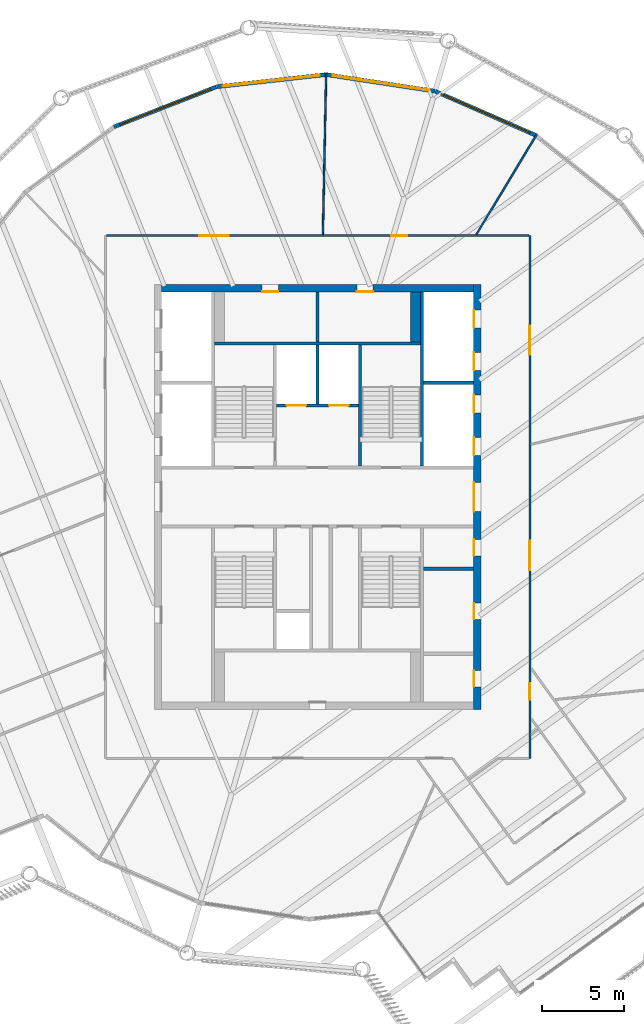
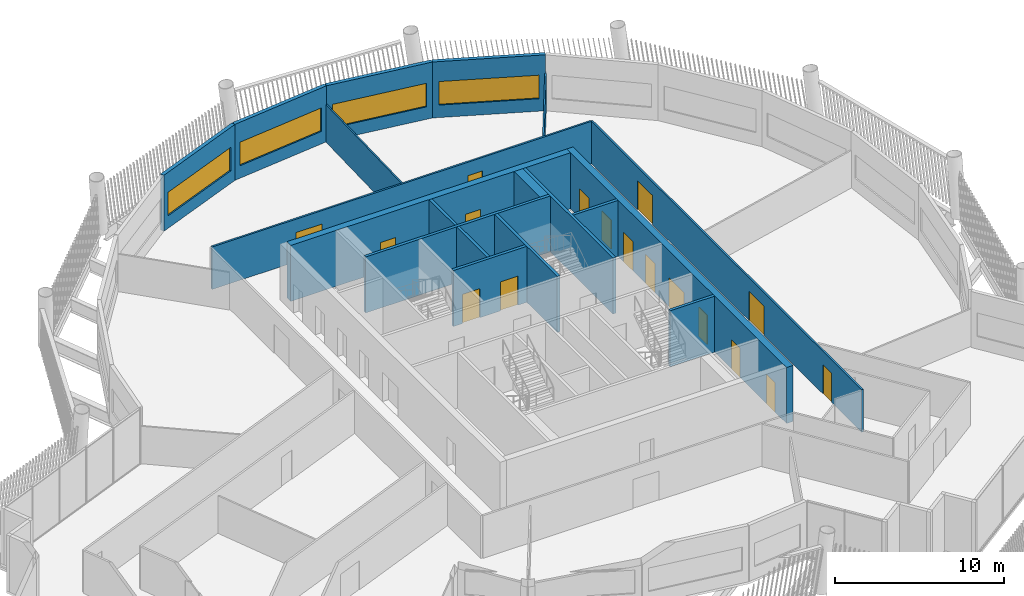
# One storey, part 18 of 27: 19 walls, 17 doors, 4 windows, 21 openings.
"""IFC4 building model written with IfcOpenShell, lengths in metres."""

from ifc_helpers import new_model, si_unit, direction, frame, frame_2d, origin, place, context, subcontext, project, spatial, rectangle, extrude, material, layer, layer_set, type_object, element, fill, save


model = new_model("IFC4")

# Units and contexts
model_context = context("Model", 3, precision=1e-05, world=origin(), true_north=direction((0.0, 1.0)))
body_context = subcontext(model_context, "Body", "Model", "MODEL_VIEW")
ifc_project = project(units=[si_unit("LENGTHUNIT", "METRE"), si_unit("AREAUNIT", "SQUARE_METRE"), si_unit("VOLUMEUNIT", "CUBIC_METRE"), si_unit("PLANEANGLEUNIT", "RADIAN"), si_unit("MASSUNIT", "GRAM", prefix="KILO")], contexts=[model_context])

# Site, building, storey
site_placement = place(None, origin())
site = spatial("IfcSite", under=ifc_project, at=site_placement, CompositionType="ELEMENT")
building_placement = place(site_placement, origin())
building = spatial("IfcBuilding", under=site, at=building_placement, Name="Tarsis Ring Headquarters", CompositionType="ELEMENT")
storey_placement = place(building_placement, frame((0.0, 0.0, 373.39990234375)))
storey = spatial("IfcBuildingStorey", under=building, at=storey_placement, Name="L88", CompositionType="ELEMENT", Elevation=373.39990234375)

# Walls
ifc_material_1 = material(Name="Blockwork", Category="masonry")
ifc_layer_1 = layer(ifc_material_1, 0.199951171875)
ifc_layer_set_1 = layer_set([ifc_layer_1], Name="Core blockwork wall 200")
wall_type_1 = type_object("IfcWallType", Name="Core blockwork wall 200", PredefinedType="PARTITIONING", material=ifc_layer_set_1)
for number, where, z_axis, x_axis, name in (
    (1, (6.5, -4.39990234375, 0.0), (0.0, 0.0, 1.0), (1.0, 0.0, 0.0), "Core partition ED3"),
    (2, (0.0, 9.5, 0.0), (0.0, 0.0, 1.0), (0.0, 1.0, 0.0), "Core partition ND2"),
):
    element("IfcWall", number, at=place(storey_placement, frame(where, z_axis=z_axis, x_axis=x_axis)), inside=storey, type_object=wall_type_1, Name=name, PredefinedType="PARTITIONING", context=body_context, shape_type="SweptSolid", body=[
        extrude(rectangle(XDim=3.050048828125, YDim=0.199951171875, at=frame_2d((1.52490234375, 0.0))), origin(), (0.0, 0.0, 1.0), 4.0400390625),
    ])

# Wall, openings, doors
ifc_material_2 = material(Name="Concrete C50/60", Category="concrete")
ifc_layer_2 = layer(ifc_material_2, 0.449951171875)
ifc_layer_set_2 = layer_set([ifc_layer_2], Name="Core wall 450 C50/60")
wall_type_2 = type_object("IfcWallType", Name="Core wall 450 C50/60", PredefinedType="SHEAR", material=ifc_layer_set_2)
wall_1_placement = place(storey_placement, frame((9.77490234375, -13.0, 0.0), z_axis=(0.0, 0.0, 1.0), x_axis=(0.0, 1.0, 0.0)))
wall_1 = element("IfcWall", 3, at=wall_1_placement, inside=storey, type_object=wall_type_2, Name="Core wall OE", PredefinedType="SHEAR", context=body_context, shape_type="SweptSolid", body=[
    extrude(rectangle(XDim=26.0, YDim=0.449951171875, at=frame_2d((13.0, 0.0))), origin(), (0.0, 0.0, 1.0), 4.0400390625),
])
opening_1_placement = place(wall_1_placement, frame((1.375, 0.0, 0.0)))
opening_1 = element("IfcOpeningElement", 4, at=opening_1_placement, cuts=wall_1, Name="Opening L88-C07", PredefinedType="OPENING", context=body_context, shape_type="SweptSolid", body=[
    extrude(rectangle(XDim=1.0, YDim=2.10009765625, at=frame_2d((0.5, 1.050048828125))), frame((0.0, 0.23486328125, 0.0), z_axis=(0.0, -1.0, 0.0), x_axis=(1.0, 0.0, 0.0)), (0.0, 0.0, 1.0), 0.469970703125),
])
opening_2_placement = place(wall_1_placement, frame((5.5, 0.0, 0.0)))
opening_2 = element("IfcOpeningElement", 5, at=opening_2_placement, cuts=wall_1, Name="Opening L88-C08", PredefinedType="OPENING", context=body_context, shape_type="SweptSolid", body=[
    extrude(rectangle(XDim=1.0, YDim=2.10009765625, at=frame_2d((0.5, 1.050048828125))), frame((0.0, 0.23486328125, 0.0), z_axis=(0.0, -1.0, 0.0), x_axis=(1.0, 0.0, 0.0)), (0.0, 0.0, 1.0), 0.469970703125),
])
opening_3_placement = place(wall_1_placement, frame((9.39990234375, 0.0, 0.0)))
opening_3 = element("IfcOpeningElement", 6, at=opening_3_placement, cuts=wall_1, Name="Opening L88-C09", PredefinedType="OPENING", context=body_context, shape_type="SweptSolid", body=[
    extrude(rectangle(XDim=1.0, YDim=2.10009765625, at=frame_2d((0.5, 1.050048828125))), frame((0.0, 0.23486328125, 0.0), z_axis=(0.0, -1.0, 0.0), x_axis=(1.0, 0.0, 0.0)), (0.0, 0.0, 1.0), 0.469970703125),
])
opening_4_placement = place(wall_1_placement, frame((12.10009765625, 0.0, 0.0)))
opening_4 = element("IfcOpeningElement", 7, at=opening_4_placement, cuts=wall_1, Name="Opening L88-C10", PredefinedType="OPENING", context=body_context, shape_type="SweptSolid", body=[
    extrude(rectangle(XDim=1.800048828125, YDim=2.10009765625, at=frame_2d((0.89990234375, 1.050048828125))), frame((0.0, 0.23486328125, 0.0), z_axis=(0.0, -1.0, 0.0), x_axis=(1.0, 0.0, 0.0)), (0.0, 0.0, 1.0), 0.469970703125),
])
opening_5_placement = place(wall_1_placement, frame((15.550048828125, 0.0, 0.0)))
opening_5 = element("IfcOpeningElement", 8, at=opening_5_placement, cuts=wall_1, Name="Opening LD-HR5", PredefinedType="OPENING", context=body_context, shape_type="SweptSolid", body=[
    extrude(rectangle(XDim=1.10009765625, YDim=2.10009765625, at=frame_2d((0.550048828125, 1.050048828125))), frame((0.0, 0.23486328125, 0.0), z_axis=(0.0, -1.0, 0.0), x_axis=(1.0, 0.0, 0.0)), (0.0, 0.0, 1.0), 0.469970703125),
])
opening_6_placement = place(wall_1_placement, frame((18.14990234375, 0.0, 0.0)))
opening_6 = element("IfcOpeningElement", 9, at=opening_6_placement, cuts=wall_1, Name="Opening LD-HR6", PredefinedType="OPENING", context=body_context, shape_type="SweptSolid", body=[
    extrude(rectangle(XDim=1.10009765625, YDim=2.10009765625, at=frame_2d((0.550048828125, 1.050048828125))), frame((0.0, 0.23486328125, 0.0), z_axis=(0.0, -1.0, 0.0), x_axis=(1.0, 0.0, 0.0)), (0.0, 0.0, 1.0), 0.469970703125),
])
opening_7_placement = place(wall_1_placement, frame((20.75, 0.0, 0.0)))
opening_7 = element("IfcOpeningElement", 10, at=opening_7_placement, cuts=wall_1, Name="Opening LD-HR7", PredefinedType="OPENING", context=body_context, shape_type="SweptSolid", body=[
    extrude(rectangle(XDim=1.10009765625, YDim=2.10009765625, at=frame_2d((0.550048828125, 1.050048828125))), frame((0.0, 0.23486328125, 0.0), z_axis=(0.0, -1.0, 0.0), x_axis=(1.0, 0.0, 0.0)), (0.0, 0.0, 1.0), 0.469970703125),
])
opening_8_placement = place(wall_1_placement, frame((23.35009765625, 0.0, 0.0)))
opening_8 = element("IfcOpeningElement", 11, at=opening_8_placement, cuts=wall_1, Name="Opening LD-HR8", PredefinedType="OPENING", context=body_context, shape_type="SweptSolid", body=[
    extrude(rectangle(XDim=1.10009765625, YDim=2.10009765625, at=frame_2d((0.550048828125, 1.050048828125))), frame((0.0, 0.23486328125, 0.0), z_axis=(0.0, -1.0, 0.0), x_axis=(1.0, 0.0, 0.0)), (0.0, 0.0, 1.0), 0.469970703125),
])
ifc_material_3 = material(Name="Steel S355", Category="steel")
door_type_1 = type_object("IfcDoorType", Name="Core entry door 1800x2100", OperationType="DOUBLE_DOOR_SINGLE_SWING", PredefinedType="DOOR", material=ifc_material_3)
door_1_placement = place(opening_4_placement, origin())
door_1 = element("IfcDoor", 12, at=door_1_placement, inside=storey, type_object=door_type_1, Name="Core entry door L88", OperationType="DOUBLE_DOOR_SINGLE_SWING", OverallHeight=2.10009765625, OverallWidth=1.800048828125, PredefinedType="DOOR", context=body_context, shape_type="SweptSolid", body=[
    extrude(rectangle(XDim=1.800048828125, YDim=2.10009765625, at=frame_2d((0.89990234375, 1.050048828125))), frame((0.0, 0.22509765625, 0.0), z_axis=(0.0, -1.0, 0.0), x_axis=(1.0, 0.0, 0.0)), (0.0, 0.0, 1.0), 0.050048828125),
])
fill(opening_4, door_1)
door_type_2 = type_object("IfcDoorType", Name="Core room door 1000x2100", OperationType="SINGLE_SWING_LEFT", PredefinedType="DOOR", material=ifc_material_3)
door_2_placement = place(opening_1_placement, origin())
door_2 = element("IfcDoor", 13, at=door_2_placement, inside=storey, type_object=door_type_2, Name="Core room door L88", OperationType="SINGLE_SWING_LEFT", OverallHeight=2.10009765625, OverallWidth=1.0, PredefinedType="DOOR", context=body_context, shape_type="SweptSolid", body=[
    extrude(rectangle(XDim=1.0, YDim=2.10009765625, at=frame_2d((0.5, 1.050048828125))), frame((0.0, 0.22509765625, 0.0), z_axis=(0.0, -1.0, 0.0), x_axis=(1.0, 0.0, 0.0)), (0.0, 0.0, 1.0), 0.050048828125),
])
fill(opening_1, door_2)
door_3_placement = place(opening_2_placement, origin())
door_3 = element("IfcDoor", 14, at=door_3_placement, inside=storey, type_object=door_type_2, Name="Core room door L88", OperationType="SINGLE_SWING_LEFT", OverallHeight=2.10009765625, OverallWidth=1.0, PredefinedType="DOOR", context=body_context, shape_type="SweptSolid", body=[
    extrude(rectangle(XDim=1.0, YDim=2.10009765625, at=frame_2d((0.5, 1.050048828125))), frame((0.0, 0.22509765625, 0.0), z_axis=(0.0, -1.0, 0.0), x_axis=(1.0, 0.0, 0.0)), (0.0, 0.0, 1.0), 0.050048828125),
])
fill(opening_2, door_3)
door_4_placement = place(opening_3_placement, origin())
door_4 = element("IfcDoor", 15, at=door_4_placement, inside=storey, type_object=door_type_2, Name="Core room door L88", OperationType="SINGLE_SWING_LEFT", OverallHeight=2.10009765625, OverallWidth=1.0, PredefinedType="DOOR", context=body_context, shape_type="SweptSolid", body=[
    extrude(rectangle(XDim=1.0, YDim=2.10009765625, at=frame_2d((0.5, 1.050048828125))), frame((0.0, 0.22509765625, 0.0), z_axis=(0.0, -1.0, 0.0), x_axis=(1.0, 0.0, 0.0)), (0.0, 0.0, 1.0), 0.050048828125),
])
fill(opening_3, door_4)
door_type_3 = type_object("IfcDoorType", Name="Landing door 1100x2100", OperationType="SLIDING_TO_LEFT", PredefinedType="DOOR", material=ifc_material_3)
door_5_placement = place(opening_5_placement, origin())
door_5 = element("IfcDoor", 16, at=door_5_placement, inside=storey, type_object=door_type_3, Name="Landing door HR5 L88", OperationType="SLIDING_TO_LEFT", OverallHeight=2.10009765625, OverallWidth=1.10009765625, PredefinedType="DOOR", context=body_context, shape_type="SweptSolid", body=[
    extrude(rectangle(XDim=1.10009765625, YDim=2.10009765625, at=frame_2d((0.550048828125, 1.050048828125))), frame((0.0, 0.22509765625, 0.0), z_axis=(0.0, -1.0, 0.0), x_axis=(1.0, 0.0, 0.0)), (0.0, 0.0, 1.0), 0.050048828125),
])
fill(opening_5, door_5)
door_6_placement = place(opening_6_placement, origin())
door_6 = element("IfcDoor", 17, at=door_6_placement, inside=storey, type_object=door_type_3, Name="Landing door HR6 L88", OperationType="SLIDING_TO_LEFT", OverallHeight=2.10009765625, OverallWidth=1.10009765625, PredefinedType="DOOR", context=body_context, shape_type="SweptSolid", body=[
    extrude(rectangle(XDim=1.10009765625, YDim=2.10009765625, at=frame_2d((0.550048828125, 1.050048828125))), frame((0.0, 0.22509765625, 0.0), z_axis=(0.0, -1.0, 0.0), x_axis=(1.0, 0.0, 0.0)), (0.0, 0.0, 1.0), 0.050048828125),
])
fill(opening_6, door_6)
door_7_placement = place(opening_7_placement, origin())
door_7 = element("IfcDoor", 18, at=door_7_placement, inside=storey, type_object=door_type_3, Name="Landing door HR7 L88", OperationType="SLIDING_TO_LEFT", OverallHeight=2.10009765625, OverallWidth=1.10009765625, PredefinedType="DOOR", context=body_context, shape_type="SweptSolid", body=[
    extrude(rectangle(XDim=1.10009765625, YDim=2.10009765625, at=frame_2d((0.550048828125, 1.050048828125))), frame((0.0, 0.22509765625, 0.0), z_axis=(0.0, -1.0, 0.0), x_axis=(1.0, 0.0, 0.0)), (0.0, 0.0, 1.0), 0.050048828125),
])
fill(opening_7, door_7)
door_8_placement = place(opening_8_placement, origin())
door_8 = element("IfcDoor", 19, at=door_8_placement, inside=storey, type_object=door_type_3, Name="Landing door HR8 L88", OperationType="SLIDING_TO_LEFT", OverallHeight=2.10009765625, OverallWidth=1.10009765625, PredefinedType="DOOR", context=body_context, shape_type="SweptSolid", body=[
    extrude(rectangle(XDim=1.10009765625, YDim=2.10009765625, at=frame_2d((0.550048828125, 1.050048828125))), frame((0.0, 0.22509765625, 0.0), z_axis=(0.0, -1.0, 0.0), x_axis=(1.0, 0.0, 0.0)), (0.0, 0.0, 1.0), 0.050048828125),
])
fill(opening_8, door_8)

wall_2_placement = place(storey_placement, frame((-9.550048828125, 12.77490234375, 0.0), z_axis=(0.0, 0.0, 1.0), x_axis=(1.0, 0.0, 0.0)))
wall_2 = element("IfcWall", 20, at=wall_2_placement, inside=storey, type_object=wall_type_2, Name="Core wall ON", PredefinedType="SHEAR", context=body_context, shape_type="SweptSolid", body=[
    extrude(rectangle(XDim=19.10009765625, YDim=0.449951171875, at=frame_2d((9.550048828125, 0.0))), origin(), (0.0, 0.0, 1.0), 4.0400390625),
])
opening_9_placement = place(wall_2_placement, frame((6.14990234375, 0.0, 0.0)))
opening_9 = element("IfcOpeningElement", 21, at=opening_9_placement, cuts=wall_2, Name="Opening L88-C15", PredefinedType="OPENING", context=body_context, shape_type="SweptSolid", body=[
    extrude(rectangle(XDim=1.0, YDim=2.10009765625, at=frame_2d((0.5, 1.050048828125))), frame((0.0, 0.23486328125, 0.0), z_axis=(0.0, -1.0, 0.0), x_axis=(1.0, 0.0, 0.0)), (0.0, 0.0, 1.0), 0.469970703125),
])
opening_10_placement = place(wall_2_placement, frame((11.949951171875, 0.0, 0.0)))
opening_10 = element("IfcOpeningElement", 22, at=opening_10_placement, cuts=wall_2, Name="Opening L88-C16", PredefinedType="OPENING", context=body_context, shape_type="SweptSolid", body=[
    extrude(rectangle(XDim=1.0, YDim=2.10009765625, at=frame_2d((0.5, 1.050048828125))), frame((0.0, 0.23486328125, 0.0), z_axis=(0.0, -1.0, 0.0), x_axis=(1.0, 0.0, 0.0)), (0.0, 0.0, 1.0), 0.469970703125),
])
door_9_placement = place(opening_9_placement, origin())
door_9 = element("IfcDoor", 23, at=door_9_placement, inside=storey, type_object=door_type_2, Name="Core room door L88", OperationType="SINGLE_SWING_LEFT", OverallHeight=2.10009765625, OverallWidth=1.0, PredefinedType="DOOR", context=body_context, shape_type="SweptSolid", body=[
    extrude(rectangle(XDim=1.0, YDim=2.10009765625, at=frame_2d((0.5, 1.050048828125))), frame((0.0, -0.1748046875, 0.0), z_axis=(0.0, -1.0, 0.0), x_axis=(1.0, 0.0, 0.0)), (0.0, 0.0, 1.0), 0.050048828125),
])
fill(opening_9, door_9)
door_10_placement = place(opening_10_placement, origin())
door_10 = element("IfcDoor", 24, at=door_10_placement, inside=storey, type_object=door_type_2, Name="Core room door L88", OperationType="SINGLE_SWING_LEFT", OverallHeight=2.10009765625, OverallWidth=1.0, PredefinedType="DOOR", context=body_context, shape_type="SweptSolid", body=[
    extrude(rectangle(XDim=1.0, YDim=2.10009765625, at=frame_2d((0.5, 1.050048828125))), frame((0.0, -0.1748046875, 0.0), z_axis=(0.0, -1.0, 0.0), x_axis=(1.0, 0.0, 0.0)), (0.0, 0.0, 1.0), 0.050048828125),
])
fill(opening_10, door_10)

# Walls
ifc_material_4 = material(Name="Gypsum board on steel studs", Category="steel")
ifc_layer_3 = layer(ifc_material_4, 0.10009765625)
ifc_layer_set_3 = layer_set([ifc_layer_3], Name="FL partition 100 unrated")
wall_type_3 = type_object("IfcWallType", Name="FL partition 100 unrated", PredefinedType="PARTITIONING", material=ifc_layer_set_3)
wall_3_placement = place(storey_placement, frame((0.325439453125, 16.070068359375, 0.0), z_axis=(0.0, 0.0, 1.0), x_axis=(0.020249575123, 0.999794956332, 0.0)))
element("IfcWall", 25, at=wall_3_placement, inside=storey, type_object=wall_type_3, Name="Partition PW3", PredefinedType="PARTITIONING", context=body_context, shape_type="SweptSolid", body=[
    extrude(rectangle(XDim=9.874267578125, YDim=0.10009765625, at=frame_2d((4.93701171875, 0.0))), origin(), (0.0, 0.0, 1.0), 2.7001953125),
])
wall_4_placement = place(storey_placement, frame((9.72119140625, 16.076904296875, 0.0), z_axis=(0.0, 0.0, 1.0), x_axis=(0.517446048582, 0.855715832977, 0.0)))
element("IfcWall", 26, at=wall_4_placement, inside=storey, type_object=wall_type_3, Name="Partition PW3", PredefinedType="PARTITIONING", context=body_context, shape_type="SweptSolid", body=[
    extrude(rectangle(XDim=7.160400390625, YDim=0.10009765625, at=frame_2d((3.580078125, 0.0))), origin(), (0.0, 0.0, 1.0), 2.7001953125),
])

# Wall, openings, doors
ifc_layer_4 = layer(ifc_material_4, 0.125)
ifc_layer_set_4 = layer_set([ifc_layer_4], Name="FL partition 125 EI 60 H3070")
wall_type_4 = type_object("IfcWallType", Name="FL partition 125 EI 60 H3070", PredefinedType="PARTITIONING", material=ifc_layer_set_4)
wall_5_placement = place(storey_placement, frame((13.0, -15.9990234375, 0.0), z_axis=(0.0, 0.0, 1.0), x_axis=(0.0, 1.0, 0.0)))
wall_5 = element("IfcWall", 27, at=wall_5_placement, inside=storey, type_object=wall_type_4, Name="Partition PW1H307", PredefinedType="PARTITIONING", context=body_context, shape_type="SweptSolid", body=[
    extrude(rectangle(XDim=31.9990234375, YDim=0.125, at=frame_2d((15.99951171875, 0.0))), origin(), (0.0, 0.0, 1.0), 3.070068359375),
])
opening_11_placement = place(wall_5_placement, frame((24.700439453125, 0.0, 0.0)))
opening_11 = element("IfcOpeningElement", 28, at=opening_11_placement, cuts=wall_5, Name="Opening D88.06", PredefinedType="OPENING", context=body_context, shape_type="SweptSolid", body=[
    extrude(rectangle(XDim=1.800048828125, YDim=2.10009765625, at=frame_2d((0.89990234375, 1.050048828125))), frame((0.0, 0.072509765625, 0.0), z_axis=(0.0, -1.0, 0.0), x_axis=(1.0, 0.0, 0.0)), (0.0, 0.0, 1.0), 0.14501953125),
])
opening_12_placement = place(wall_5_placement, frame((11.509765625, 0.0, 0.0)))
opening_12 = element("IfcOpeningElement", 29, at=opening_12_placement, cuts=wall_5, Name="Opening D88.07", PredefinedType="OPENING", context=body_context, shape_type="SweptSolid", body=[
    extrude(rectangle(XDim=1.800048828125, YDim=2.10009765625, at=frame_2d((0.89990234375, 1.050048828125))), frame((0.0, 0.072509765625, 0.0), z_axis=(0.0, -1.0, 0.0), x_axis=(1.0, 0.0, 0.0)), (0.0, 0.0, 1.0), 0.14501953125),
])
opening_13_placement = place(wall_5_placement, frame((3.58056640625, 0.0, 0.0)))
opening_13 = element("IfcOpeningElement", 30, at=opening_13_placement, cuts=wall_5, Name="Opening D88.14", PredefinedType="OPENING", context=body_context, shape_type="SweptSolid", body=[
    extrude(rectangle(XDim=1.0, YDim=2.10009765625, at=frame_2d((0.5, 1.050048828125))), frame((0.0, 0.072509765625, 0.0), z_axis=(0.0, -1.0, 0.0), x_axis=(1.0, 0.0, 0.0)), (0.0, 0.0, 1.0), 0.14501953125),
])
ifc_material_5 = material(Name="Fire-rated timber door leaf in steel frame", Category="steel")
door_type_4 = type_object("IfcDoorType", Name="FL door FD60-1000", OperationType="NOTDEFINED", PredefinedType="DOOR", material=ifc_material_5)
door_11_placement = place(opening_13_placement, origin())
door_11 = element("IfcDoor", 31, at=door_11_placement, inside=storey, type_object=door_type_4, Name="Door D88.14", OperationType="SINGLE_SWING_RIGHT", OverallHeight=2.10009765625, OverallWidth=1.0, PredefinedType="DOOR", context=body_context, shape_type="SweptSolid", body=[
    extrude(rectangle(XDim=1.0, YDim=2.10009765625, at=frame_2d((0.5, 1.050048828125))), frame((0.0, 0.02490234375, 0.0), z_axis=(0.0, -1.0, 0.0), x_axis=(1.0, 0.0, 0.0)), (0.0, 0.0, 1.0), 0.050048828125),
])
fill(opening_13, door_11)
door_type_5 = type_object("IfcDoorType", Name="FL door FD60-1800", OperationType="DOUBLE_DOOR_SINGLE_SWING", PredefinedType="DOOR", material=ifc_material_5)
door_12_placement = place(opening_11_placement, origin())
door_12 = element("IfcDoor", 32, at=door_12_placement, inside=storey, type_object=door_type_5, Name="Door D88.06", OperationType="DOUBLE_DOOR_SINGLE_SWING", OverallHeight=2.10009765625, OverallWidth=1.800048828125, PredefinedType="DOOR", context=body_context, shape_type="SweptSolid", body=[
    extrude(rectangle(XDim=1.800048828125, YDim=2.10009765625, at=frame_2d((0.89990234375, 1.050048828125))), frame((0.0, 0.02490234375, 0.0), z_axis=(0.0, -1.0, 0.0), x_axis=(1.0, 0.0, 0.0)), (0.0, 0.0, 1.0), 0.050048828125),
])
fill(opening_11, door_12)
door_13_placement = place(opening_12_placement, origin())
door_13 = element("IfcDoor", 33, at=door_13_placement, inside=storey, type_object=door_type_5, Name="Door D88.07", OperationType="DOUBLE_DOOR_SINGLE_SWING", OverallHeight=2.10009765625, OverallWidth=1.800048828125, PredefinedType="DOOR", context=body_context, shape_type="SweptSolid", body=[
    extrude(rectangle(XDim=1.800048828125, YDim=2.10009765625, at=frame_2d((0.89990234375, 1.050048828125))), frame((0.0, 0.02490234375, 0.0), z_axis=(0.0, -1.0, 0.0), x_axis=(1.0, 0.0, 0.0)), (0.0, 0.0, 1.0), 0.050048828125),
])
fill(opening_12, door_13)

wall_6_placement = place(storey_placement, frame((-12.93994140625, 16.0, 0.0), z_axis=(0.0, 0.0, 1.0), x_axis=(1.0, 0.0, 0.0)))
wall_6 = element("IfcWall", 34, at=wall_6_placement, inside=storey, type_object=wall_type_4, Name="Partition PW1H307", PredefinedType="PARTITIONING", context=body_context, shape_type="SweptSolid", body=[
    extrude(rectangle(XDim=25.8798828125, YDim=0.125, at=frame_2d((12.93994140625, 0.0))), origin(), (0.0, 0.0, 1.0), 3.070068359375),
])
opening_14_placement = place(wall_6_placement, frame((5.701904296875, 0.0, 0.0)))
opening_14 = element("IfcOpeningElement", 35, at=opening_14_placement, cuts=wall_6, Name="Opening D88.04", PredefinedType="OPENING", context=body_context, shape_type="SweptSolid", body=[
    extrude(rectangle(XDim=1.800048828125, YDim=2.10009765625, at=frame_2d((0.89990234375, 1.050048828125))), frame((0.0, 0.072509765625, 0.0), z_axis=(0.0, -1.0, 0.0), x_axis=(1.0, 0.0, 0.0)), (0.0, 0.0, 1.0), 0.14501953125),
])
opening_15_placement = place(wall_6_placement, frame((17.439208984375, 0.0, 0.0)))
opening_15 = element("IfcOpeningElement", 36, at=opening_15_placement, cuts=wall_6, Name="Opening D88.05", PredefinedType="OPENING", context=body_context, shape_type="SweptSolid", body=[
    extrude(rectangle(XDim=1.0, YDim=2.10009765625, at=frame_2d((0.5, 1.050048828125))), frame((0.0, 0.072509765625, 0.0), z_axis=(0.0, -1.0, 0.0), x_axis=(1.0, 0.0, 0.0)), (0.0, 0.0, 1.0), 0.14501953125),
])
door_14_placement = place(opening_15_placement, origin())
door_14 = element("IfcDoor", 37, at=door_14_placement, inside=storey, type_object=door_type_4, Name="Door D88.05", OperationType="SINGLE_SWING_LEFT", OverallHeight=2.10009765625, OverallWidth=1.0, PredefinedType="DOOR", context=body_context, shape_type="SweptSolid", body=[
    extrude(rectangle(XDim=1.0, YDim=2.10009765625, at=frame_2d((0.5, 1.050048828125))), frame((0.0, 0.02490234375, 0.0), z_axis=(0.0, -1.0, 0.0), x_axis=(1.0, 0.0, 0.0)), (0.0, 0.0, 1.0), 0.050048828125),
])
fill(opening_15, door_14)
door_15_placement = place(opening_14_placement, origin())
door_15 = element("IfcDoor", 38, at=door_15_placement, inside=storey, type_object=door_type_5, Name="Door D88.04", OperationType="DOUBLE_DOOR_SINGLE_SWING", OverallHeight=2.10009765625, OverallWidth=1.800048828125, PredefinedType="DOOR", context=body_context, shape_type="SweptSolid", body=[
    extrude(rectangle(XDim=1.800048828125, YDim=2.10009765625, at=frame_2d((0.89990234375, 1.050048828125))), frame((0.0, 0.02490234375, 0.0), z_axis=(0.0, -1.0, 0.0), x_axis=(1.0, 0.0, 0.0)), (0.0, 0.0, 1.0), 0.050048828125),
])
fill(opening_14, door_15)

# Wall, opening, window
ifc_material_6 = material(Name="Terracotta clad insulated panel wall", Category="masonry")
ifc_layer_5 = layer(ifc_material_6, 0.25)
ifc_layer_set_5 = layer_set([ifc_layer_5], Name="Facade wall terracotta panel 250")
wall_type_5 = type_object("IfcWallType", Name="Facade wall terracotta panel 250", PredefinedType="STANDARD", material=ifc_layer_set_5)
wall_7_placement = place(storey_placement, frame((13.372802734375, 22.1474609375, 0.0), z_axis=(0.0, 0.0, 1.0), x_axis=(-0.915936285477, 0.401323710919, 0.0)))
wall_7 = element("IfcWall", 39, at=wall_7_placement, inside=storey, type_object=wall_type_5, Name="External wall L88-23", PredefinedType="STANDARD", context=body_context, shape_type="SweptSolid", body=[
    extrude(rectangle(XDim=6.721435546875, YDim=0.25, at=frame_2d((3.36083984375, 0.0))), origin(), (0.0, 0.0, 1.0), 4.0400390625),
])
opening_16_placement = place(wall_7_placement, frame((0.3857421875, 0.0, 0.89990234375)))
opening_16 = element("IfcOpeningElement", 40, at=opening_16_placement, cuts=wall_7, Name="Opening WN07", PredefinedType="OPENING", context=body_context, shape_type="SweptSolid", body=[
    extrude(rectangle(XDim=5.949951171875, YDim=1.699951171875, at=frame_2d((2.97509765625, 0.85009765625))), frame((0.0, 0.135009765625, 0.0), z_axis=(0.0, -1.0, 0.0), x_axis=(1.0, 0.0, 0.0)), (0.0, 0.0, 1.0), 0.27001953125),
])
ifc_material_7 = material(Name="Aluminium framed double glazing", Category="aluminium")
window_type = type_object("IfcWindowType", Name="Facade window 5950 x 1700", PartitioningType="SINGLE_PANEL", PredefinedType="WINDOW", material=ifc_material_7)
window_1_placement = place(opening_16_placement, origin())
window_1 = element("IfcWindow", 41, at=window_1_placement, inside=storey, type_object=window_type, Name="Window L88-23.1", OverallHeight=1.699951171875, OverallWidth=5.949951171875, PartitioningType="SINGLE_PANEL", PredefinedType="WINDOW", context=body_context, shape_type="SweptSolid", body=[
    extrude(rectangle(XDim=5.949951171875, YDim=1.699951171875, at=frame_2d((2.97509765625, 0.85009765625))), frame((0.0, 0.030029296875, 0.0), z_axis=(0.0, -1.0, 0.0), x_axis=(1.0, 0.0, 0.0)), (0.0, 0.0, 1.0), 0.06005859375),
])
fill(opening_16, window_1)

wall_8_placement = place(storey_placement, frame((7.18505859375, 24.85400390625, 0.0), z_axis=(0.0, 0.0, 1.0), x_axis=(-0.988596513536, 0.150588623158, 0.0)))
wall_8 = element("IfcWall", 42, at=wall_8_placement, inside=storey, type_object=wall_type_5, Name="External wall L88-24", PredefinedType="STANDARD", context=body_context, shape_type="SweptSolid", body=[
    extrude(rectangle(XDim=6.7216796875, YDim=0.25, at=frame_2d((3.36083984375, 0.0))), origin(), (0.0, 0.0, 1.0), 4.0400390625),
])
opening_17_placement = place(wall_8_placement, frame((0.3857421875, 0.0, 0.89990234375)))
opening_17 = element("IfcOpeningElement", 43, at=opening_17_placement, cuts=wall_8, Name="Opening WN07", PredefinedType="OPENING", context=body_context, shape_type="SweptSolid", body=[
    extrude(rectangle(XDim=5.949951171875, YDim=1.699951171875, at=frame_2d((2.97509765625, 0.85009765625))), frame((0.0, 0.135009765625, 0.0), z_axis=(0.0, -1.0, 0.0), x_axis=(1.0, 0.0, 0.0)), (0.0, 0.0, 1.0), 0.27001953125),
])
window_2_placement = place(opening_17_placement, origin())
window_2 = element("IfcWindow", 44, at=window_2_placement, inside=storey, type_object=window_type, Name="Window L88-24.1", OverallHeight=1.699951171875, OverallWidth=5.949951171875, PartitioningType="SINGLE_PANEL", PredefinedType="WINDOW", context=body_context, shape_type="SweptSolid", body=[
    extrude(rectangle(XDim=5.949951171875, YDim=1.699951171875, at=frame_2d((2.97509765625, 0.85009765625))), frame((0.0, 0.030029296875, 0.0), z_axis=(0.0, -1.0, 0.0), x_axis=(1.0, 0.0, 0.0)), (0.0, 0.0, 1.0), 0.06005859375),
])
fill(opening_17, window_2)

wall_9_placement = place(storey_placement, frame((0.507568359375, 25.86669921875, 0.0), z_axis=(0.0, 0.0, 1.0), x_axis=(-0.993885506298, -0.110415580293, 0.0)))
wall_9 = element("IfcWall", 45, at=wall_9_placement, inside=storey, type_object=wall_type_5, Name="External wall L88-25", PredefinedType="STANDARD", context=body_context, shape_type="SweptSolid", body=[
    extrude(rectangle(XDim=6.7216796875, YDim=0.25, at=frame_2d((3.36083984375, 0.0))), origin(), (0.0, 0.0, 1.0), 4.0400390625),
])
opening_18_placement = place(wall_9_placement, frame((0.3857421875, 0.0, 0.89990234375)))
opening_18 = element("IfcOpeningElement", 46, at=opening_18_placement, cuts=wall_9, Name="Opening WN07", PredefinedType="OPENING", context=body_context, shape_type="SweptSolid", body=[
    extrude(rectangle(XDim=5.949951171875, YDim=1.699951171875, at=frame_2d((2.97509765625, 0.85009765625))), frame((0.0, 0.135009765625, 0.0), z_axis=(0.0, -1.0, 0.0), x_axis=(1.0, 0.0, 0.0)), (0.0, 0.0, 1.0), 0.27001953125),
])
window_3_placement = place(opening_18_placement, origin())
window_3 = element("IfcWindow", 47, at=window_3_placement, inside=storey, type_object=window_type, Name="Window L88-25.1", OverallHeight=1.699951171875, OverallWidth=5.949951171875, PartitioningType="SINGLE_PANEL", PredefinedType="WINDOW", context=body_context, shape_type="SweptSolid", body=[
    extrude(rectangle(XDim=5.949951171875, YDim=1.699951171875, at=frame_2d((2.97509765625, 0.85009765625))), frame((0.0, 0.030029296875, 0.0), z_axis=(0.0, -1.0, 0.0), x_axis=(1.0, 0.0, 0.0)), (0.0, 0.0, 1.0), 0.06005859375),
])
fill(opening_18, window_3)

wall_10_placement = place(storey_placement, frame((-6.20458984375, 25.11669921875, 0.0), z_axis=(0.0, 0.0, 1.0), x_axis=(-0.931435036124, -0.363907644163, 0.0)))
wall_10 = element("IfcWall", 48, at=wall_10_placement, inside=storey, type_object=wall_type_5, Name="External wall L88-26", PredefinedType="STANDARD", context=body_context, shape_type="SweptSolid", body=[
    extrude(rectangle(XDim=6.7216796875, YDim=0.25, at=frame_2d((3.36083984375, 0.0))), origin(), (0.0, 0.0, 1.0), 4.0400390625),
])
opening_19_placement = place(wall_10_placement, frame((0.3857421875, 0.0, 0.89990234375)))
opening_19 = element("IfcOpeningElement", 49, at=opening_19_placement, cuts=wall_10, Name="Opening WN07", PredefinedType="OPENING", context=body_context, shape_type="SweptSolid", body=[
    extrude(rectangle(XDim=5.949951171875, YDim=1.699951171875, at=frame_2d((2.97509765625, 0.85009765625))), frame((0.0, 0.135009765625, 0.0), z_axis=(0.0, -1.0, 0.0), x_axis=(1.0, 0.0, 0.0)), (0.0, 0.0, 1.0), 0.27001953125),
])
window_4_placement = place(opening_19_placement, origin())
window_4 = element("IfcWindow", 50, at=window_4_placement, inside=storey, type_object=window_type, Name="Window L88-26.1", OverallHeight=1.699951171875, OverallWidth=5.949951171875, PartitioningType="SINGLE_PANEL", PredefinedType="WINDOW", context=body_context, shape_type="SweptSolid", body=[
    extrude(rectangle(XDim=5.949951171875, YDim=1.699951171875, at=frame_2d((2.97509765625, 0.85009765625))), frame((0.0, 0.030029296875, 0.0), z_axis=(0.0, -1.0, 0.0), x_axis=(1.0, 0.0, 0.0)), (0.0, 0.0, 1.0), 0.06005859375),
])
fill(opening_19, window_4)

# Walls
ifc_material_8 = material(Name="Concrete C32/40", Category="concrete")
ifc_layer_6 = layer(ifc_material_8, 0.60009765625)
ifc_layer_set_6 = layer_set([ifc_layer_6], Name="Shaft end wall 600 C32/40")
wall_type_6 = type_object("IfcWallType", Name="Shaft end wall 600 C32/40", PredefinedType="SOLIDWALL", material=ifc_layer_set_6)
wall_11_placement = place(storey_placement, frame((6.0, 9.5, 0.0), z_axis=(0.0, 0.0, 1.0), x_axis=(0.0, 1.0, 0.0)))
element("IfcWall", 51, at=wall_11_placement, inside=storey, type_object=wall_type_6, Name="Core shaft wall NNE2", PredefinedType="SOLIDWALL", context=body_context, shape_type="SweptSolid", body=[
    extrude(rectangle(XDim=3.050048828125, YDim=0.60009765625, at=frame_2d((1.52490234375, 0.0))), origin(), (0.0, 0.0, 1.0), 4.0400390625),
])
ifc_layer_7 = layer(ifc_material_8, 0.199951171875)
ifc_layer_set_7 = layer_set([ifc_layer_7], Name="Shaft wall 200 C32/40")
wall_type_7 = type_object("IfcWallType", Name="Shaft wall 200 C32/40", PredefinedType="SOLIDWALL", material=ifc_layer_set_7)
wall_12_placement = place(storey_placement, frame((6.39990234375, 1.89990234375, 0.0), z_axis=(0.0, 0.0, 1.0), x_axis=(0.0, 1.0, 0.0)))
element("IfcWall", 52, at=wall_12_placement, inside=storey, type_object=wall_type_7, Name="Core shaft wall EB2", PredefinedType="SOLIDWALL", context=body_context, shape_type="SweptSolid", body=[
    extrude(rectangle(XDim=10.650146484375, YDim=0.199951171875, at=frame_2d((5.3251953125, 0.0))), origin(), (0.0, 0.0, 1.0), 4.0400390625),
])
wall_13_placement = place(storey_placement, frame((-6.300048828125, 9.39990234375, 0.0), z_axis=(0.0, 0.0, 1.0), x_axis=(1.0, 0.0, 0.0)))
element("IfcWall", 53, at=wall_13_placement, inside=storey, type_object=wall_type_7, Name="Core shaft wall NB", PredefinedType="SOLIDWALL", context=body_context, shape_type="SweptSolid", body=[
    extrude(rectangle(XDim=12.60009765625, YDim=0.199951171875, at=frame_2d((6.300048828125, 0.0))), origin(), (0.0, 0.0, 1.0), 4.0400390625),
])
wall_14_placement = place(storey_placement, frame((2.60009765625, 1.89990234375, 0.0), z_axis=(0.0, 0.0, 1.0), x_axis=(0.0, 1.0, 0.0)))
element("IfcWall", 54, at=wall_14_placement, inside=storey, type_object=wall_type_7, Name="Core shaft wall SW2", PredefinedType="SOLIDWALL", context=body_context, shape_type="SweptSolid", body=[
    extrude(rectangle(XDim=7.400146484375, YDim=0.199951171875, at=frame_2d((3.7001953125, 0.0))), origin(), (0.0, 0.0, 1.0), 4.0400390625),
])

# Wall, openings, doors
wall_15_placement = place(storey_placement, frame((-2.5, 5.60009765625, 0.0), z_axis=(0.0, 0.0, 1.0), x_axis=(1.0, 0.0, 0.0)))
wall_15 = element("IfcWall", 55, at=wall_15_placement, inside=storey, type_object=wall_type_7, Name="Core shaft wall FFN", PredefinedType="SOLIDWALL", context=body_context, shape_type="SweptSolid", body=[
    extrude(rectangle(XDim=5.0, YDim=0.199951171875, at=frame_2d((2.5, 0.0))), origin(), (0.0, 0.0, 1.0), 4.0400390625),
])
opening_20_placement = place(wall_15_placement, frame((0.60009765625, 0.0, 0.0)))
opening_20 = element("IfcOpeningElement", 56, at=opening_20_placement, cuts=wall_15, Name="Opening LDF-1", PredefinedType="OPENING", context=body_context, shape_type="SweptSolid", body=[
    extrude(rectangle(XDim=1.199951171875, YDim=2.10009765625, at=frame_2d((0.60009765625, 1.050048828125))), frame((0.0, 0.10986328125, 0.0), z_axis=(0.0, -1.0, 0.0), x_axis=(1.0, 0.0, 0.0)), (0.0, 0.0, 1.0), 0.219970703125),
])
opening_21_placement = place(wall_15_placement, frame((3.199951171875, 0.0, 0.0)))
opening_21 = element("IfcOpeningElement", 57, at=opening_21_placement, cuts=wall_15, Name="Opening LDF-2", PredefinedType="OPENING", context=body_context, shape_type="SweptSolid", body=[
    extrude(rectangle(XDim=1.199951171875, YDim=2.10009765625, at=frame_2d((0.60009765625, 1.050048828125))), frame((0.0, 0.10986328125, 0.0), z_axis=(0.0, -1.0, 0.0), x_axis=(1.0, 0.0, 0.0)), (0.0, 0.0, 1.0), 0.219970703125),
])
door_type_6 = type_object("IfcDoorType", Name="Firefighting landing door 1200x2100", OperationType="SLIDING_TO_LEFT", PredefinedType="DOOR", material=ifc_material_3)
door_16_placement = place(opening_20_placement, origin())
door_16 = element("IfcDoor", 58, at=door_16_placement, inside=storey, type_object=door_type_6, Name="Landing door FF1 L88", OperationType="SLIDING_TO_LEFT", OverallHeight=2.10009765625, OverallWidth=1.199951171875, PredefinedType="DOOR", context=body_context, shape_type="SweptSolid", body=[
    extrude(rectangle(XDim=1.199951171875, YDim=2.10009765625, at=frame_2d((0.60009765625, 1.050048828125))), frame((0.0, 0.02490234375, 0.0), z_axis=(0.0, -1.0, 0.0), x_axis=(1.0, 0.0, 0.0)), (0.0, 0.0, 1.0), 0.050048828125),
])
fill(opening_20, door_16)
door_17_placement = place(opening_21_placement, origin())
door_17 = element("IfcDoor", 59, at=door_17_placement, inside=storey, type_object=door_type_6, Name="Landing door FF2 L88", OperationType="SLIDING_TO_LEFT", OverallHeight=2.10009765625, OverallWidth=1.199951171875, PredefinedType="DOOR", context=body_context, shape_type="SweptSolid", body=[
    extrude(rectangle(XDim=1.199951171875, YDim=2.10009765625, at=frame_2d((0.60009765625, 1.050048828125))), frame((0.0, 0.02490234375, 0.0), z_axis=(0.0, -1.0, 0.0), x_axis=(1.0, 0.0, 0.0)), (0.0, 0.0, 1.0), 0.050048828125),
])
fill(opening_21, door_17)

# Walls
wall_16_placement = place(storey_placement, frame((0.0, 5.699951171875, 0.0), z_axis=(0.0, 0.0, 1.0), x_axis=(0.0, 1.0, 0.0)))
element("IfcWall", 60, at=wall_16_placement, inside=storey, type_object=wall_type_7, Name="Core shaft wall FFD", PredefinedType="SOLIDWALL", context=body_context, shape_type="SweptSolid", body=[
    extrude(rectangle(XDim=3.60009765625, YDim=0.199951171875, at=frame_2d((1.800048828125, 0.0))), origin(), (0.0, 0.0, 1.0), 4.0400390625),
])
wall_17_placement = place(storey_placement, frame((6.5, 7.0, 0.0), z_axis=(0.0, 0.0, 1.0), x_axis=(1.0, 0.0, 0.0)))
element("IfcWall", 61, at=wall_17_placement, inside=storey, type_object=wall_type_7, Name="Core shaft wall ED6", PredefinedType="SOLIDWALL", context=body_context, shape_type="SweptSolid", body=[
    extrude(rectangle(XDim=3.050048828125, YDim=0.199951171875, at=frame_2d((1.52490234375, 0.0))), origin(), (0.0, 0.0, 1.0), 4.0400390625),
])

save(model, "model.ifc")
